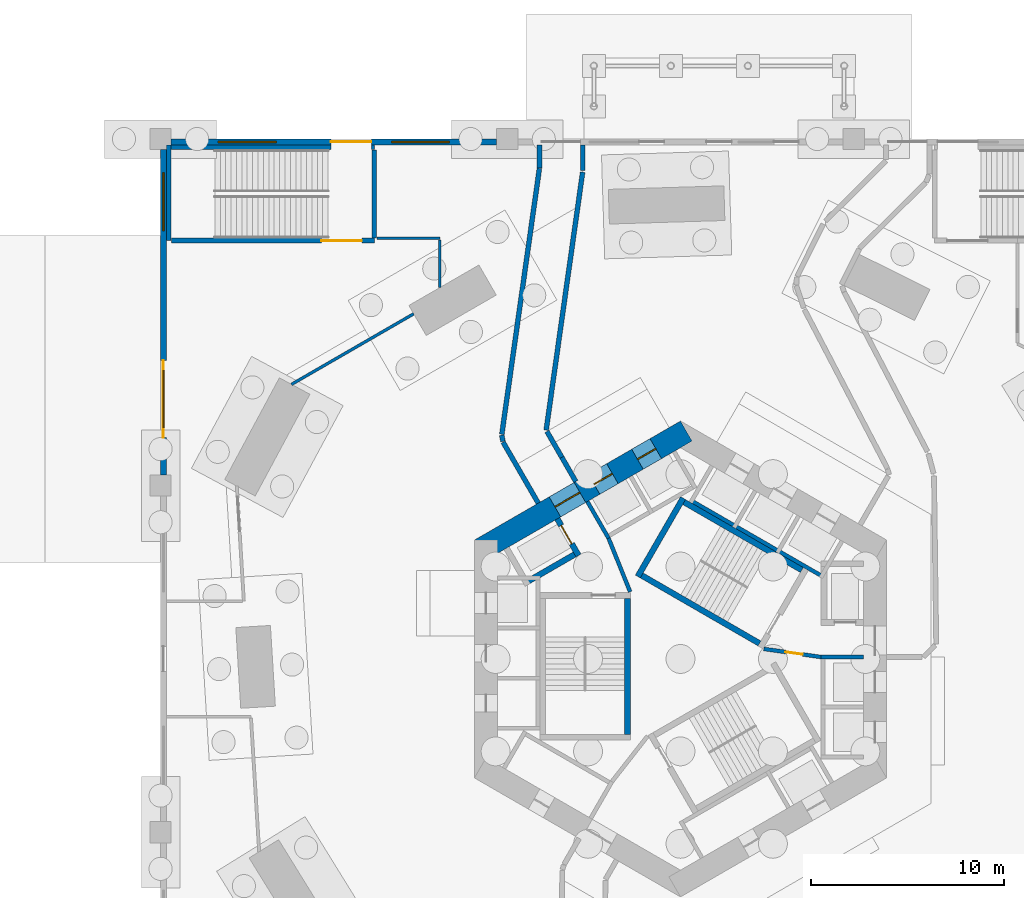
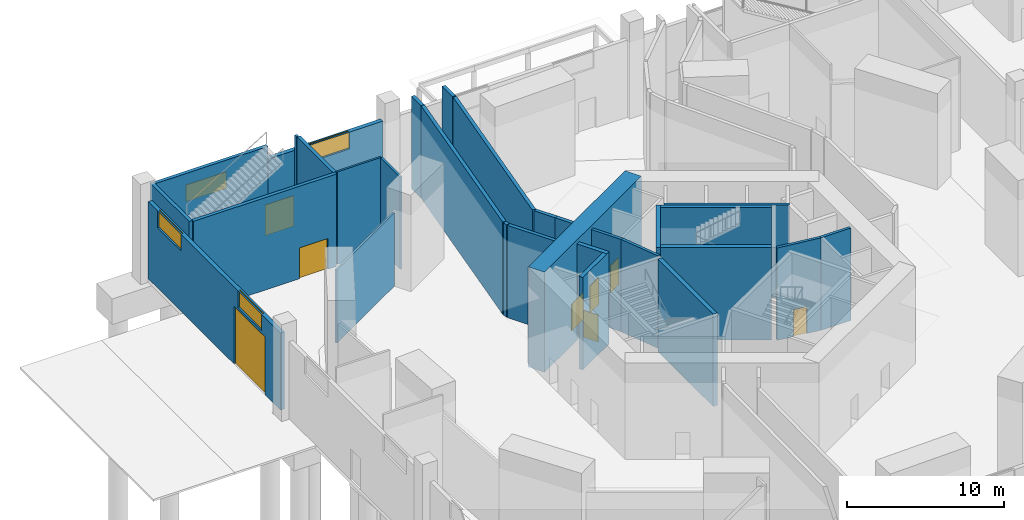
# One storey, part 8 of 16: 30 walls, 8 doors, 4 windows, 12 openings.
"""IFC4 building model written with IfcOpenShell, lengths in metres."""

from ifc_helpers import new_model, si_unit, direction, frame, frame_2d, origin, place, context, subcontext, project, spatial, rectangle, extrude, material, layer, layer_set, type_object, element, fill, save


model = new_model("IFC4")

# Units and contexts
model_context = context("Model", 3, precision=1e-05, world=origin(), true_north=direction((0.0, 1.0)))
body_context = subcontext(model_context, "Body", "Model", "MODEL_VIEW")
ifc_project = project(units=[si_unit("LENGTHUNIT", "METRE"), si_unit("AREAUNIT", "SQUARE_METRE"), si_unit("VOLUMEUNIT", "CUBIC_METRE"), si_unit("PLANEANGLEUNIT", "RADIAN"), si_unit("MASSUNIT", "GRAM", prefix="KILO")], contexts=[model_context])

# Site, building, storey
site_placement = place(None, origin())
site = spatial("IfcSite", under=ifc_project, at=site_placement, CompositionType="ELEMENT")
building_placement = place(site_placement, origin())
building = spatial("IfcBuilding", under=site, at=building_placement, Name="Vanh Sen Convention Tower", CompositionType="ELEMENT")
storey_placement = place(building_placement, origin())
storey = spatial("IfcBuildingStorey", under=building, at=storey_placement, Name="L00", CompositionType="ELEMENT", Elevation=0.0)

# Walls
ifc_material_1 = material(Name="Concrete C40/50", Category="concrete")
ifc_layer_1 = layer(ifc_material_1, 0.25)
ifc_layer_set_1 = layer_set([ifc_layer_1], Name="Concrete C40/50")
wall_type_1 = type_object("IfcWallType", Name="Concrete wall 250 REI 180", PredefinedType="SOLIDWALL", material=ifc_layer_set_1)
wall_1_placement = place(storey_placement, frame((-7.385009765625, 8.091552734375, 0.0), z_axis=(0.0, 0.0, 1.0), x_axis=(-0.500011578892, 0.866018718605, 0.0)))
element("IfcWall", 1, at=wall_1_placement, inside=storey, type_object=wall_type_1, Name="Fire-resisting wall L00-048", PredefinedType="SOLIDWALL", context=body_context, shape_type="SweptSolid", body=[
    extrude(rectangle(XDim=3.65478515625, YDim=0.25, at=frame_2d((1.827392578125, 0.0))), origin(), (0.0, 0.0, 1.0), 7.199951171875),
])
wall_2_placement = place(storey_placement, frame((-6.16162109375, 10.471923828125, 0.0), z_axis=(0.0, 0.0, 1.0), x_axis=(0.500159754115, -0.865933150054, 0.0)))
element("IfcWall", 2, at=wall_2_placement, inside=storey, type_object=wall_type_1, Name="Fire-resisting wall L00-057", PredefinedType="SOLIDWALL", context=body_context, shape_type="SweptSolid", body=[
    extrude(rectangle(XDim=1.44970703125, YDim=0.25, at=frame_2d((0.724853515625, 0.0))), origin(), (0.0, 0.0, 1.0), 7.199951171875),
])
wall_3_placement = place(storey_placement, frame((-6.16162109375, 10.471923828125, 0.0), z_axis=(0.0, 0.0, 1.0), x_axis=(-0.499899694197, 0.866083307622, 0.0)))
element("IfcWall", 3, at=wall_3_placement, inside=storey, type_object=wall_type_1, Name="Fire-resisting wall L00-058", PredefinedType="SOLIDWALL", context=body_context, shape_type="SweptSolid", body=[
    extrude(rectangle(XDim=1.550048828125, YDim=0.25, at=frame_2d((0.77490234375, 0.0))), origin(), (0.0, 0.0, 1.0), 7.199951171875),
])
wall_4_placement = place(storey_placement, frame((-9.219970703125, 11.295654296875, 0.0), z_axis=(0.0, 0.0, 1.0), x_axis=(-0.189841665195, 0.981814718853, 0.0)))
element("IfcWall", 4, at=wall_4_placement, inside=storey, type_object=wall_type_1, Name="Fire-resisting wall L00-060", PredefinedType="SOLIDWALL", context=body_context, shape_type="SweptSolid", body=[
    extrude(rectangle(XDim=0.3369140625, YDim=0.25, at=frame_2d((0.16845703125, 0.0))), origin(), (0.0, 0.0, 1.0), 7.199951171875),
])
wall_5_placement = place(storey_placement, frame((-9.2783203125, 11.666015625, 0.0), z_axis=(0.0, 0.0, 1.0), x_axis=(0.140022217881, 0.990148361863, 0.0)))
element("IfcWall", 5, at=wall_5_placement, inside=storey, type_object=wall_type_1, Name="Fire-resisting wall L00-061", PredefinedType="SOLIDWALL", context=body_context, shape_type="SweptSolid", body=[
    extrude(rectangle(XDim=13.950439453125, YDim=0.25, at=frame_2d((6.97509765625, 0.0))), origin(), (0.0, 0.0, 1.0), 7.199951171875),
])

# Wall, opening, door
wall_6_placement = place(storey_placement, frame((-15.89990234375, 21.72509765625, 0.0), z_axis=(0.0, 0.0, 1.0), x_axis=(-1.0, 0.0, 0.0)))
wall_6 = element("IfcWall", 6, at=wall_6_placement, inside=storey, type_object=wall_type_1, Name="Fire-resisting wall L00-072", PredefinedType="SOLIDWALL", context=body_context, shape_type="SweptSolid", body=[
    extrude(rectangle(XDim=10.5400390625, YDim=0.25, at=frame_2d((5.27001953125, 0.0))), origin(), (0.0, 0.0, 1.0), 7.199951171875),
])
opening_1_placement = place(wall_6_placement, frame((0.64990234375, 0.0, 0.0)))
opening_1 = element("IfcOpeningElement", 7, at=opening_1_placement, cuts=wall_6, Name="Opening D00113", PredefinedType="OPENING", context=body_context, shape_type="SweptSolid", body=[
    extrude(rectangle(XDim=2.10009765625, YDim=2.39990234375, at=frame_2d((1.050048828125, 1.199951171875))), frame((0.0, 0.135009765625, 0.0), z_axis=(0.0, -1.0, 0.0), x_axis=(1.0, 0.0, 0.0)), (0.0, 0.0, 1.0), 0.27001953125),
])
ifc_material_2 = material(Name="Steel S355", Category="steel")
door_type_1 = type_object("IfcDoorType", Name="Stair door 2100 EI 60", OperationType="DOUBLE_DOOR_SINGLE_SWING", PredefinedType="DOOR", material=ifc_material_2)
door_1_placement = place(opening_1_placement, frame((2.10009765625, 0.0, 0.0), z_axis=(0.0, 0.0, 1.0), x_axis=(-1.0, 0.0, 0.0)))
door_1 = element("IfcDoor", 8, at=door_1_placement, inside=storey, type_object=door_type_1, Name="Stair door D00113", OperationType="DOUBLE_DOOR_SINGLE_SWING", OverallHeight=2.39990234375, OverallWidth=2.10009765625, PredefinedType="DOOR", context=body_context, shape_type="SweptSolid", body=[
    extrude(rectangle(XDim=2.10009765625, YDim=2.39990234375, at=frame_2d((1.050048828125, 1.199951171875))), frame((0.0, 0.02490234375, 0.0), z_axis=(0.0, -1.0, 0.0), x_axis=(1.0, 0.0, 0.0)), (0.0, 0.0, 1.0), 0.050048828125),
])
fill(opening_1, door_1)

# Walls
wall_7_placement = place(storey_placement, frame((-5.08056640625, 25.281494140625, 0.0), z_axis=(0.0, 0.0, 1.0), x_axis=(-0.140032081435, -0.990146966954, 0.0)))
element("IfcWall", 9, at=wall_7_placement, inside=storey, type_object=wall_type_1, Name="Fire-resisting wall L00-083", PredefinedType="SOLIDWALL", context=body_context, shape_type="SweptSolid", body=[
    extrude(rectangle(XDim=13.53271484375, YDim=0.25, at=frame_2d((6.766357421875, 0.0))), origin(), (0.0, 0.0, 1.0), 7.199951171875),
])
wall_8_placement = place(storey_placement, frame((-7.324951171875, 25.4990234375, 0.0), z_axis=(0.0, 0.0, 1.0), x_axis=(0.0, 1.0, 0.0)))
element("IfcWall", 10, at=wall_8_placement, inside=storey, type_object=wall_type_1, Name="Fire-resisting wall L00-084", PredefinedType="SOLIDWALL", context=body_context, shape_type="SweptSolid", body=[
    extrude(rectangle(XDim=1.200927734375, YDim=0.25, at=frame_2d((0.6005859375, 0.0))), origin(), (0.0, 0.0, 1.0), 7.199951171875),
])
wall_9_placement = place(storey_placement, frame((-15.89990234375, 26.43994140625, 0.0), z_axis=(0.0, 0.0, 1.0), x_axis=(0.0, -1.0, 0.0)))
element("IfcWall", 11, at=wall_9_placement, inside=storey, type_object=wall_type_1, Name="Fire-resisting wall L00-086", PredefinedType="SOLIDWALL", context=body_context, shape_type="SweptSolid", body=[
    extrude(rectangle(XDim=4.58984375, YDim=0.25, at=frame_2d((2.294921875, 0.0))), origin(), (0.0, 0.0, 1.0), 7.199951171875),
])
wall_10_placement = place(storey_placement, frame((-5.074951171875, 26.699951171875, 0.0), z_axis=(0.0, 0.0, 1.0), x_axis=(0.0, -1.0, 0.0)))
element("IfcWall", 12, at=wall_10_placement, inside=storey, type_object=wall_type_1, Name="Fire-resisting wall L00-088", PredefinedType="SOLIDWALL", context=body_context, shape_type="SweptSolid", body=[
    extrude(rectangle(XDim=1.33935546875, YDim=0.25, at=frame_2d((0.669677734375, 0.0))), origin(), (0.0, 0.0, 1.0), 7.199951171875),
])
wall_11_placement = place(storey_placement, frame((-26.574951171875, 21.72509765625, 0.0), z_axis=(0.0, 0.0, 1.0), x_axis=(0.0, 1.0, 0.0)))
element("IfcWall", 13, at=wall_11_placement, inside=storey, type_object=wall_type_1, Name="Stair enclosure wall PS5 L00", PredefinedType="SOLIDWALL", context=body_context, shape_type="SweptSolid", body=[
    extrude(rectangle(XDim=4.974853515625, YDim=0.25, at=frame_2d((2.4873046875, 0.0))), origin(), (0.0, 0.0, 1.0), 7.199951171875),
])
wall_12_placement = place(storey_placement, frame((-26.449951171875, 26.574951171875, 0.0), z_axis=(0.0, 0.0, 1.0), x_axis=(1.0, 0.0, 0.0)))
element("IfcWall", 14, at=wall_12_placement, inside=storey, type_object=wall_type_1, Name="Stair enclosure wall PS5 L00", PredefinedType="SOLIDWALL", context=body_context, shape_type="SweptSolid", body=[
    extrude(rectangle(XDim=8.300048828125, YDim=0.25, at=frame_2d((4.14990234375, 0.0))), origin(), (0.0, 0.0, 1.0), 7.199951171875),
])
wall_13_placement = place(storey_placement, frame((-16.050048828125, 26.574951171875, 0.0), z_axis=(0.0, 0.0, 1.0), x_axis=(1.0, 0.0, 0.0)))
element("IfcWall", 15, at=wall_13_placement, inside=storey, type_object=wall_type_1, Name="Stair enclosure wall PS5 L00", PredefinedType="SOLIDWALL", context=body_context, shape_type="SweptSolid", body=[
    extrude(rectangle(XDim=0.150146484375, YDim=0.25, at=frame_2d((0.0751953125, 0.0))), origin(), (0.0, 0.0, 1.0), 7.199951171875),
])

# Wall, openings, doors
ifc_material_3 = material(Name="Concrete C80/95", Category="concrete")
ifc_layer_2 = layer(ifc_material_3, 1.199951171875)
ifc_layer_set_2 = layer_set([ifc_layer_2], Name="Concrete C80/95")
wall_type_2 = type_object("IfcWallType", Name="Core outer wall 1200 C80/95", PredefinedType="SHEAR", material=ifc_layer_set_2)
wall_14_placement = place(storey_placement, frame((0.300048828125, 11.835693359375, -0.300048828125), z_axis=(0.0, 0.0, 1.0), x_axis=(-0.866021384402, -0.500006961711, 0.0)))
wall_14 = element("IfcWall", 16, at=wall_14_placement, inside=storey, type_object=wall_type_2, Name="Core wall face NW L00", PredefinedType="SHEAR", context=body_context, shape_type="SweptSolid", body=[
    extrude(rectangle(XDim=12.355224609375, YDim=1.199951171875, at=frame_2d((6.177734375, 0.0))), origin(), (0.0, 0.0, 1.0), 7.800048828125),
])
opening_2_placement = place(wall_14_placement, frame((6.377685546875, 0.0, 0.300048828125)))
opening_2 = element("IfcOpeningElement", 17, at=opening_2_placement, cuts=wall_14, Name="Opening D00002", PredefinedType="OPENING", context=body_context, shape_type="SweptSolid", body=[
    extrude(rectangle(XDim=1.5, YDim=2.10009765625, at=frame_2d((0.75, 1.050048828125))), frame((0.0, 0.60986328125, 0.0), z_axis=(0.0, -1.0, 0.0), x_axis=(1.0, 0.0, 0.0)), (0.0, 0.0, 1.0), 1.219970703125),
])
opening_3_placement = place(wall_14_placement, frame((1.82763671875, 0.0, 0.300048828125)))
opening_3 = element("IfcOpeningElement", 18, at=opening_3_placement, cuts=wall_14, Name="Opening LD-LR6", PredefinedType="OPENING", context=body_context, shape_type="SweptSolid", body=[
    extrude(rectangle(XDim=1.10009765625, YDim=2.10009765625, at=frame_2d((0.550048828125, 1.050048828125))), frame((0.0, 0.60986328125, 0.0), z_axis=(0.0, -1.0, 0.0), x_axis=(1.0, 0.0, 0.0)), (0.0, 0.0, 1.0), 1.219970703125),
])
opening_4_placement = place(wall_14_placement, frame((4.427734375, 0.0, 0.300048828125)))
opening_4 = element("IfcOpeningElement", 19, at=opening_4_placement, cuts=wall_14, Name="Opening LD-SH1", PredefinedType="OPENING", context=body_context, shape_type="SweptSolid", body=[
    extrude(rectangle(XDim=1.10009765625, YDim=2.10009765625, at=frame_2d((0.550048828125, 1.050048828125))), frame((0.0, 0.60986328125, 0.0), z_axis=(0.0, -1.0, 0.0), x_axis=(1.0, 0.0, 0.0)), (0.0, 0.0, 1.0), 1.219970703125),
])
ifc_material_4 = material(Name="Stainless steel", Category="steel")
door_type_2 = type_object("IfcDoorType", Name="Lift landing door 1100", OperationType="DOUBLE_DOOR_SLIDING", PredefinedType="DOOR", material=ifc_material_4)
door_2_placement = place(opening_3_placement, origin())
door_2 = element("IfcDoor", 20, at=door_2_placement, inside=storey, type_object=door_type_2, Name="Lift LR6 landing door LD-LR6", OperationType="DOUBLE_DOOR_SLIDING", OverallHeight=2.10009765625, OverallWidth=1.10009765625, PredefinedType="DOOR", context=body_context, shape_type="SweptSolid", body=[
    extrude(rectangle(XDim=1.10009765625, YDim=2.10009765625, at=frame_2d((0.550048828125, 1.050048828125))), frame((0.0, 0.02490234375, 0.0), z_axis=(0.0, -1.0, 0.0), x_axis=(1.0, 0.0, 0.0)), (0.0, 0.0, 1.0), 0.050048828125),
])
fill(opening_3, door_2)
door_3_placement = place(opening_4_placement, origin())
door_3 = element("IfcDoor", 21, at=door_3_placement, inside=storey, type_object=door_type_2, Name="Lift SH1 landing door LD-SH1", OperationType="DOUBLE_DOOR_SLIDING", OverallHeight=2.10009765625, OverallWidth=1.10009765625, PredefinedType="DOOR", context=body_context, shape_type="SweptSolid", body=[
    extrude(rectangle(XDim=1.10009765625, YDim=2.10009765625, at=frame_2d((0.550048828125, 1.050048828125))), frame((0.0, 0.02490234375, 0.0), z_axis=(0.0, -1.0, 0.0), x_axis=(1.0, 0.0, 0.0)), (0.0, 0.0, 1.0), 0.050048828125),
])
fill(opening_4, door_3)
ifc_material_5 = material(Name="Steel S355", Category="steel")
door_type_3 = type_object("IfcDoorType", Name="Stair lobby door 1500", OperationType="DOUBLE_DOOR_SINGLE_SWING", PredefinedType="DOOR", material=ifc_material_5)
door_4_placement = place(opening_2_placement, origin())
door_4 = element("IfcDoor", 22, at=door_4_placement, inside=storey, type_object=door_type_3, Name="Stair lobby door D00002", OperationType="DOUBLE_DOOR_SINGLE_SWING", OverallHeight=2.10009765625, OverallWidth=1.5, PredefinedType="DOOR", context=body_context, shape_type="SweptSolid", body=[
    extrude(rectangle(XDim=1.5, YDim=2.10009765625, at=frame_2d((0.75, 1.050048828125))), frame((0.0, 0.02490234375, 0.0), z_axis=(0.0, -1.0, 0.0), x_axis=(1.0, 0.0, 0.0)), (0.0, 0.0, 1.0), 0.050048828125),
])
fill(opening_2, door_4)

# Wall, opening, door
ifc_material_6 = material(Name="Concrete C60/75", Category="concrete")
ifc_layer_3 = layer(ifc_material_6, 0.300048828125)
ifc_layer_set_3 = layer_set([ifc_layer_3], Name="Concrete C60/75")
wall_type_3 = type_object("IfcWallType", Name="Fire-fighting lift shaft wall 300", PredefinedType="SHEAR", material=ifc_layer_set_3)
wall_15_placement = place(storey_placement, frame((-5.29541015625, 5.3720703125, 0.0), z_axis=(0.0, 0.0, 1.0), x_axis=(-0.500077893725, 0.86598042715, 0.0)))
wall_15 = element("IfcWall", 23, at=wall_15_placement, inside=storey, type_object=wall_type_3, Name="Fire-fighting lift shaft wall L00", PredefinedType="SHEAR", context=body_context, shape_type="SweptSolid", body=[
    extrude(rectangle(XDim=2.199951171875, YDim=0.300048828125, at=frame_2d((1.10009765625, 0.0))), origin(), (0.0, 0.0, 1.0), 7.199951171875),
])
opening_5_placement = place(wall_15_placement, frame((0.699951171875, 0.0, 0.0)))
opening_5 = element("IfcOpeningElement", 24, at=opening_5_placement, cuts=wall_15, Name="Opening LD-FF2", PredefinedType="OPENING", context=body_context, shape_type="SweptSolid", body=[
    extrude(rectangle(XDim=1.10009765625, YDim=2.10009765625, at=frame_2d((0.550048828125, 1.050048828125))), frame((0.0, 0.159912109375, 0.0), z_axis=(0.0, -1.0, 0.0), x_axis=(1.0, 0.0, 0.0)), (0.0, 0.0, 1.0), 0.320068359375),
])
door_type_4 = type_object("IfcDoorType", Name="Fire-fighting lift landing door 1100", OperationType="DOUBLE_DOOR_SLIDING", PredefinedType="DOOR", material=ifc_material_4)
door_5_placement = place(opening_5_placement, origin())
door_5 = element("IfcDoor", 25, at=door_5_placement, inside=storey, type_object=door_type_4, Name="Lift FF2 landing door LD-FF2", OperationType="DOUBLE_DOOR_SLIDING", OverallHeight=2.10009765625, OverallWidth=1.10009765625, PredefinedType="DOOR", context=body_context, shape_type="SweptSolid", body=[
    extrude(rectangle(XDim=1.10009765625, YDim=2.10009765625, at=frame_2d((0.550048828125, 1.050048828125))), frame((0.0, 0.02490234375, 0.0), z_axis=(0.0, -1.0, 0.0), x_axis=(1.0, 0.0, 0.0)), (0.0, 0.0, 1.0), 0.050048828125),
])
fill(opening_5, door_5)

# Walls
wall_16_placement = place(storey_placement, frame((-5.240478515625, 5.576904296875, 0.0), z_axis=(0.0, 0.0, 1.0), x_axis=(-0.866014461049, -0.500018952895, 0.0)))
element("IfcWall", 26, at=wall_16_placement, inside=storey, type_object=wall_type_3, Name="Fire-fighting lift shaft wall L00", PredefinedType="SHEAR", context=body_context, shape_type="SweptSolid", body=[
    extrude(rectangle(XDim=3.349853515625, YDim=0.300048828125, at=frame_2d((1.6748046875, 0.0))), origin(), (0.0, 0.0, 1.0), 7.199951171875),
])
ifc_layer_4 = layer(ifc_material_1, 0.199951171875)
ifc_layer_set_4 = layer_set([ifc_layer_4], Name="Concrete C40/50")
wall_type_4 = type_object("IfcWallType", Name="Lift shaft wall 200", PredefinedType="PARTITIONING", material=ifc_layer_set_4)
wall_17_placement = place(storey_placement, frame((7.300048828125, 0.10009765625, 0.0), z_axis=(0.0, 0.0, 1.0), x_axis=(1.0, 0.0, 0.0)))
element("IfcWall", 27, at=wall_17_placement, inside=storey, type_object=wall_type_4, Name="Lift shaft wall L00", PredefinedType="PARTITIONING", context=body_context, shape_type="SweptSolid", body=[
    extrude(rectangle(XDim=2.199951171875, YDim=0.199951171875, at=frame_2d((1.10009765625, 0.0))), origin(), (0.0, 0.0, 1.0), 7.199951171875),
])
wall_18_placement = place(storey_placement, frame((7.423828125, 4.258544921875, 0.0), z_axis=(0.0, 0.0, 1.0), x_axis=(-0.866026010844, 0.49999894854, 0.0)))
element("IfcWall", 28, at=wall_18_placement, inside=storey, type_object=wall_type_4, Name="Lift shaft wall L00", PredefinedType="PARTITIONING", context=body_context, shape_type="SweptSolid", body=[
    extrude(rectangle(XDim=8.0, YDim=0.199951171875, at=frame_2d((4.0, 0.0))), origin(), (0.0, 0.0, 1.0), 7.199951171875),
])
wall_19_placement = place(storey_placement, frame((-3.736572265625, 6.27197265625, 0.0), z_axis=(0.0, 0.0, 1.0), x_axis=(-0.50002983664, 0.866008176907, 0.0)))
element("IfcWall", 29, at=wall_19_placement, inside=storey, type_object=wall_type_4, Name="Lift shaft wall L00", PredefinedType="PARTITIONING", context=body_context, shape_type="SweptSolid", body=[
    extrude(rectangle(XDim=2.199951171875, YDim=0.199951171875, at=frame_2d((1.10009765625, 0.0))), origin(), (0.0, 0.0, 1.0), 7.199951171875),
])
ifc_material_7 = material(Name="Gypsum board on steel studs", Category="steel")
ifc_layer_5 = layer(ifc_material_7, 0.14990234375)
ifc_layer_set_5 = layer_set([ifc_layer_5], Name="Gypsum board on steel studs")
wall_type_5 = type_object("IfcWallType", Name="Partition 150 EI 60", PredefinedType="PARTITIONING", material=ifc_layer_set_5)
wall_20_placement = place(storey_placement, frame((-13.85546875, 17.923583984375, 0.0), z_axis=(0.0, 0.0, 1.0), x_axis=(-0.866032447223, -0.499987800209, 0.0)))
element("IfcWall", 30, at=wall_20_placement, inside=storey, type_object=wall_type_5, Name="Partition L00-065", PredefinedType="PARTITIONING", context=body_context, shape_type="SweptSolid", body=[
    extrude(rectangle(XDim=7.327392578125, YDim=0.14990234375, at=frame_2d((3.66357421875, 0.0))), origin(), (0.0, 0.0, 1.0), 5.699951171875),
])
wall_21_placement = place(storey_placement, frame((-12.5, 21.77001953125, 0.0), z_axis=(0.0, 0.0, 1.0), x_axis=(0.0, -1.0, 0.0)))
element("IfcWall", 31, at=wall_21_placement, inside=storey, type_object=wall_type_5, Name="Partition L00-076", PredefinedType="PARTITIONING", context=body_context, shape_type="SweptSolid", body=[
    extrude(rectangle(XDim=2.486572265625, YDim=0.14990234375, at=frame_2d((1.2431640625, 0.0))), origin(), (0.0, 0.0, 1.0), 7.199951171875),
])
wall_22_placement = place(storey_placement, frame((-15.760009765625, 21.85009765625, 0.0), z_axis=(0.0, 0.0, 1.0), x_axis=(1.0, 0.0, 0.0)))
element("IfcWall", 32, at=wall_22_placement, inside=storey, type_object=wall_type_5, Name="Partition L00-077", PredefinedType="PARTITIONING", context=body_context, shape_type="SweptSolid", body=[
    extrude(rectangle(XDim=3.260009765625, YDim=0.14990234375, at=frame_2d((1.6298828125, 0.0))), origin(), (0.0, 0.0, 1.0), 7.199951171875),
])

# Wall, openings, door, windows
ifc_material_8 = material(Name="Concrete C50/60", Category="concrete")
ifc_layer_6 = layer(ifc_material_8, 0.300048828125)
ifc_layer_set_6 = layer_set([ifc_layer_6], Name="Concrete C50/60")
wall_type_6 = type_object("IfcWallType", Name="Podium wall 300", PredefinedType="STANDARD", material=ifc_layer_set_6)
wall_23_placement = place(storey_placement, frame((-9.550048828125, 26.85009765625, 0.0), z_axis=(0.0, 0.0, 1.0), x_axis=(-1.0, 0.0, 0.0)))
wall_23 = element("IfcWall", 33, at=wall_23_placement, inside=storey, type_object=wall_type_6, Name="Podium wall N4 L00", PredefinedType="STANDARD", context=body_context, shape_type="SweptSolid", body=[
    extrude(rectangle(XDim=16.89990234375, YDim=0.300048828125, at=frame_2d((8.449951171875, 0.0))), origin(), (0.0, 0.0, 1.0), 6.0),
])
opening_6_placement = place(wall_23_placement, frame((2.449951171875, 0.0, 4.699951171875)))
opening_6 = element("IfcOpeningElement", 34, at=opening_6_placement, cuts=wall_23, Name="Opening WP1-N7", PredefinedType="OPENING", context=body_context, shape_type="SweptSolid", body=[
    extrude(rectangle(XDim=3.0, YDim=1.300048828125, at=frame_2d((1.5, 0.64990234375))), frame((0.0, 0.159912109375, 0.0), z_axis=(0.0, -1.0, 0.0), x_axis=(1.0, 0.0, 0.0)), (0.0, 0.0, 1.0), 0.320068359375),
])
opening_7_placement = place(wall_23_placement, frame((11.449951171875, 0.0, 4.699951171875)))
opening_7 = element("IfcOpeningElement", 35, at=opening_7_placement, cuts=wall_23, Name="Opening WP1-N8", PredefinedType="OPENING", context=body_context, shape_type="SweptSolid", body=[
    extrude(rectangle(XDim=3.0, YDim=1.300048828125, at=frame_2d((1.5, 0.64990234375))), frame((0.0, 0.159912109375, 0.0), z_axis=(0.0, -1.0, 0.0), x_axis=(1.0, 0.0, 0.0)), (0.0, 0.0, 1.0), 0.320068359375),
])
opening_8_placement = place(wall_23_placement, frame((6.5, 0.0, 0.0)))
opening_8 = element("IfcOpeningElement", 36, at=opening_8_placement, cuts=wall_23, Name="Opening PD5", PredefinedType="OPENING", context=body_context, shape_type="SweptSolid", body=[
    extrude(rectangle(XDim=2.10009765625, YDim=2.39990234375, at=frame_2d((1.050048828125, 1.199951171875))), frame((0.0, 0.159912109375, 0.0), z_axis=(0.0, -1.0, 0.0), x_axis=(1.0, 0.0, 0.0)), (0.0, 0.0, 1.0), 0.320068359375),
])
ifc_material_9 = material(Name="Aluminium and glass entrance door", Category="aluminium")
door_type_5 = type_object("IfcDoorType", Name="Entrance door 2100", OperationType="DOUBLE_DOOR_SINGLE_SWING", PredefinedType="DOOR", material=ifc_material_9)
door_6_placement = place(opening_8_placement, frame((2.10009765625, 0.0, 0.0), z_axis=(0.0, 0.0, 1.0), x_axis=(-1.0, 0.0, 0.0)))
door_6 = element("IfcDoor", 37, at=door_6_placement, inside=storey, type_object=door_type_5, Name="Entrance door PD5", OperationType="DOUBLE_DOOR_SINGLE_SWING", OverallHeight=2.39990234375, OverallWidth=2.10009765625, PredefinedType="DOOR", context=body_context, shape_type="SweptSolid", body=[
    extrude(rectangle(XDim=2.10009765625, YDim=2.39990234375, at=frame_2d((1.050048828125, 1.199951171875))), frame((0.0, 0.02490234375, 0.0), z_axis=(0.0, -1.0, 0.0), x_axis=(1.0, 0.0, 0.0)), (0.0, 0.0, 1.0), 0.050048828125),
])
fill(opening_8, door_6)
ifc_material_10 = material(Name="Aluminium frame with clear low-emissivity glass", Category="aluminium")
window_type = type_object("IfcWindowType", Name="Podium window 3000 x 1300", PartitioningType="SINGLE_PANEL", PredefinedType="WINDOW", material=ifc_material_10)
window_1_placement = place(opening_6_placement, origin())
window_1 = element("IfcWindow", 38, at=window_1_placement, inside=storey, type_object=window_type, Name="Window WP1-N7", OverallHeight=1.300048828125, OverallWidth=3.0, PartitioningType="SINGLE_PANEL", PredefinedType="WINDOW", context=body_context, shape_type="SweptSolid", body=[
    extrude(rectangle(XDim=3.0, YDim=1.300048828125, at=frame_2d((1.5, 0.64990234375))), frame((0.0, 0.030029296875, 0.0), z_axis=(0.0, -1.0, 0.0), x_axis=(1.0, 0.0, 0.0)), (0.0, 0.0, 1.0), 0.06005859375),
])
fill(opening_6, window_1)
window_2_placement = place(opening_7_placement, origin())
window_2 = element("IfcWindow", 39, at=window_2_placement, inside=storey, type_object=window_type, Name="Window WP1-N8", OverallHeight=1.300048828125, OverallWidth=3.0, PartitioningType="SINGLE_PANEL", PredefinedType="WINDOW", context=body_context, shape_type="SweptSolid", body=[
    extrude(rectangle(XDim=3.0, YDim=1.300048828125, at=frame_2d((1.5, 0.64990234375))), frame((0.0, 0.030029296875, 0.0), z_axis=(0.0, -1.0, 0.0), x_axis=(1.0, 0.0, 0.0)), (0.0, 0.0, 1.0), 0.06005859375),
])
fill(opening_7, window_2)

wall_24_placement = place(storey_placement, frame((-26.85009765625, 26.449951171875, 0.0), z_axis=(0.0, 0.0, 1.0), x_axis=(0.0, -1.0, 0.0)))
wall_24 = element("IfcWall", 40, at=wall_24_placement, inside=storey, type_object=wall_type_6, Name="Podium wall W1 L00", PredefinedType="STANDARD", context=body_context, shape_type="SweptSolid", body=[
    extrude(rectangle(XDim=16.89990234375, YDim=0.300048828125, at=frame_2d((8.449951171875, 0.0))), origin(), (0.0, 0.0, 1.0), 6.0),
])
opening_9_placement = place(wall_24_placement, frame((1.199951171875, 0.0, 4.699951171875)))
opening_9 = element("IfcOpeningElement", 41, at=opening_9_placement, cuts=wall_24, Name="Opening WP1-W1", PredefinedType="OPENING", context=body_context, shape_type="SweptSolid", body=[
    extrude(rectangle(XDim=3.0, YDim=1.300048828125, at=frame_2d((1.5, 0.64990234375))), frame((0.0, 0.159912109375, 0.0), z_axis=(0.0, -1.0, 0.0), x_axis=(1.0, 0.0, 0.0)), (0.0, 0.0, 1.0), 0.320068359375),
])
opening_10_placement = place(wall_24_placement, frame((11.449951171875, 0.0, 4.699951171875)))
opening_10 = element("IfcOpeningElement", 42, at=opening_10_placement, cuts=wall_24, Name="Opening WP1-W2", PredefinedType="OPENING", context=body_context, shape_type="SweptSolid", body=[
    extrude(rectangle(XDim=3.0, YDim=1.300048828125, at=frame_2d((1.5, 0.64990234375))), frame((0.0, 0.159912109375, 0.0), z_axis=(0.0, -1.0, 0.0), x_axis=(1.0, 0.0, 0.0)), (0.0, 0.0, 1.0), 0.320068359375),
])
opening_11_placement = place(wall_24_placement, frame((10.949951171875, 0.0, 0.0)))
opening_11 = element("IfcOpeningElement", 43, at=opening_11_placement, cuts=wall_24, Name="Opening DG1", PredefinedType="OPENING", context=body_context, shape_type="SweptSolid", body=[
    extrude(rectangle(XDim=4.0, YDim=4.5, at=frame_2d((2.0, 2.25))), frame((0.0, 0.159912109375, 0.0), z_axis=(0.0, -1.0, 0.0), x_axis=(1.0, 0.0, 0.0)), (0.0, 0.0, 1.0), 0.320068359375),
])
ifc_material_11 = material(Name="Insulated steel roller shutter", Category="steel")
door_type_6 = type_object("IfcDoorType", Name="Loading bay roller shutter 4000", OperationType="ROLLINGUP", PredefinedType="DOOR", material=ifc_material_11)
door_7_placement = place(opening_11_placement, frame((4.0, 0.0, 0.0), z_axis=(0.0, 0.0, 1.0), x_axis=(-1.0, 0.0, 0.0)))
door_7 = element("IfcDoor", 44, at=door_7_placement, inside=storey, type_object=door_type_6, Name="Loading bay roller shutter DG1", OperationType="ROLLINGUP", OverallHeight=4.5, OverallWidth=4.0, PredefinedType="DOOR", context=body_context, shape_type="SweptSolid", body=[
    extrude(rectangle(XDim=4.0, YDim=4.5, at=frame_2d((2.0, 2.25))), frame((0.0, 0.02490234375, 0.0), z_axis=(0.0, -1.0, 0.0), x_axis=(1.0, 0.0, 0.0)), (0.0, 0.0, 1.0), 0.050048828125),
])
fill(opening_11, door_7)
window_3_placement = place(opening_9_placement, origin())
window_3 = element("IfcWindow", 45, at=window_3_placement, inside=storey, type_object=window_type, Name="Window WP1-W1", OverallHeight=1.300048828125, OverallWidth=3.0, PartitioningType="SINGLE_PANEL", PredefinedType="WINDOW", context=body_context, shape_type="SweptSolid", body=[
    extrude(rectangle(XDim=3.0, YDim=1.300048828125, at=frame_2d((1.5, 0.64990234375))), frame((0.0, 0.030029296875, 0.0), z_axis=(0.0, -1.0, 0.0), x_axis=(1.0, 0.0, 0.0)), (0.0, 0.0, 1.0), 0.06005859375),
])
fill(opening_9, window_3)
window_4_placement = place(opening_10_placement, origin())
window_4 = element("IfcWindow", 46, at=window_4_placement, inside=storey, type_object=window_type, Name="Window WP1-W2", OverallHeight=1.300048828125, OverallWidth=3.0, PartitioningType="SINGLE_PANEL", PredefinedType="WINDOW", context=body_context, shape_type="SweptSolid", body=[
    extrude(rectangle(XDim=3.0, YDim=1.300048828125, at=frame_2d((1.5, 0.64990234375))), frame((0.0, 0.030029296875, 0.0), z_axis=(0.0, -1.0, 0.0), x_axis=(1.0, 0.0, 0.0)), (0.0, 0.0, 1.0), 0.06005859375),
])
fill(opening_10, window_4)

# Wall, opening, door
ifc_layer_7 = layer(ifc_material_1, 0.199951171875)
ifc_layer_set_7 = layer_set([ifc_layer_7], Name="Concrete C40/50")
wall_type_7 = type_object("IfcWallType", Name="Stair lobby wall 200", PredefinedType="PARTITIONING", material=ifc_layer_set_7)
wall_25_placement = place(storey_placement, frame((4.327392578125, 0.52099609375, 0.0), z_axis=(0.0, 0.0, 1.0), x_axis=(0.990124376366, -0.14019172346, 0.0)))
wall_25 = element("IfcWall", 47, at=wall_25_placement, inside=storey, type_object=wall_type_7, Name="Stair lobby wall L00", PredefinedType="PARTITIONING", context=body_context, shape_type="SweptSolid", body=[
    extrude(rectangle(XDim=3.002197265625, YDim=0.199951171875, at=frame_2d((1.5009765625, 0.0))), origin(), (0.0, 0.0, 1.0), 7.199951171875),
])
opening_12_placement = place(wall_25_placement, frame((1.13818359375, 0.0, 0.0)))
opening_12 = element("IfcOpeningElement", 48, at=opening_12_placement, cuts=wall_25, Name="Opening D00007", PredefinedType="OPENING", context=body_context, shape_type="SweptSolid", body=[
    extrude(rectangle(XDim=0.89990234375, YDim=2.10009765625, at=frame_2d((0.449951171875, 1.050048828125))), frame((0.0, 0.10986328125, 0.0), z_axis=(0.0, -1.0, 0.0), x_axis=(1.0, 0.0, 0.0)), (0.0, 0.0, 1.0), 0.219970703125),
])
door_type_7 = type_object("IfcDoorType", Name="Plant door 900", OperationType="SINGLE_SWING_LEFT", PredefinedType="DOOR", material=ifc_material_5)
door_8_placement = place(opening_12_placement, origin())
door_8 = element("IfcDoor", 49, at=door_8_placement, inside=storey, type_object=door_type_7, Name="Plant door D00007", OperationType="SINGLE_SWING_LEFT", OverallHeight=2.10009765625, OverallWidth=0.89990234375, PredefinedType="DOOR", context=body_context, shape_type="SweptSolid", body=[
    extrude(rectangle(XDim=0.89990234375, YDim=2.10009765625, at=frame_2d((0.449951171875, 1.050048828125))), frame((0.0, 0.02490234375, 0.0), z_axis=(0.0, -1.0, 0.0), x_axis=(1.0, 0.0, 0.0)), (0.0, 0.0, 1.0), 0.050048828125),
])
fill(opening_12, door_8)

# Walls
wall_26_placement = place(storey_placement, frame((-2.614990234375, 3.487060546875, 0.0), z_axis=(0.0, 0.0, 1.0), x_axis=(-0.373576831041, 0.92759924068, 0.0)))
element("IfcWall", 50, at=wall_26_placement, inside=storey, type_object=wall_type_7, Name="Stair lobby wall L00", PredefinedType="PARTITIONING", context=body_context, shape_type="SweptSolid", body=[
    extrude(rectangle(XDim=3.002197265625, YDim=0.199951171875, at=frame_2d((1.5009765625, 0.0))), origin(), (0.0, 0.0, 1.0), 7.199951171875),
])
ifc_layer_8 = layer(ifc_material_6, 0.300048828125)
ifc_layer_set_8 = layer_set([ifc_layer_8], Name="Concrete C60/75")
wall_type_8 = type_object("IfcWallType", Name="Stair wall 300", PredefinedType="SHEAR", material=ifc_layer_set_8)
wall_27_placement = place(storey_placement, frame((-2.216064453125, 4.28173828125, 0.0), z_axis=(0.0, 0.0, 1.0), x_axis=(0.499977259774, 0.866038532462, 0.0)))
element("IfcWall", 51, at=wall_27_placement, inside=storey, type_object=wall_type_8, Name="Stair wall L00", PredefinedType="SHEAR", context=body_context, shape_type="SweptSolid", body=[
    extrude(rectangle(XDim=4.699951171875, YDim=0.300048828125, at=frame_2d((2.35009765625, 0.0))), origin(), (0.0, 0.0, 1.0), 7.199951171875),
])
for number, where, z_axis, x_axis, name in (
    (52, (4.10302734375, 0.806640625, 0.0), (0.0, 0.0, 1.0), (-0.866027801685, 0.499995846692, 0.0), "Stair wall L00"),
    (53, (6.302978515625, 4.6171875, 0.0), (0.0, 0.0, 1.0), (-0.866027801685, 0.499995846692, 0.0), "Stair wall L00"),
):
    element("IfcWall", number, at=place(storey_placement, frame(where, z_axis=z_axis, x_axis=x_axis)), inside=storey, type_object=wall_type_8, Name=name, PredefinedType="SHEAR", context=body_context, shape_type="SweptSolid", body=[
        extrude(rectangle(XDim=7.06005859375, YDim=0.300048828125, at=frame_2d((3.530029296875, 0.0))), origin(), (0.0, 0.0, 1.0), 7.199951171875),
    ])
wall_28_placement = place(storey_placement, frame((-2.75, 3.14990234375, 0.0), z_axis=(0.0, 0.0, 1.0), x_axis=(0.0, -1.0, 0.0)))
element("IfcWall", 54, at=wall_28_placement, inside=storey, type_object=wall_type_8, Name="Stair wall L00", PredefinedType="SHEAR", context=body_context, shape_type="SweptSolid", body=[
    extrude(rectangle(XDim=7.059814453125, YDim=0.300048828125, at=frame_2d((3.52978515625, 0.0))), origin(), (0.0, 0.0, 1.0), 7.199951171875),
])

save(model, "model.ifc")
